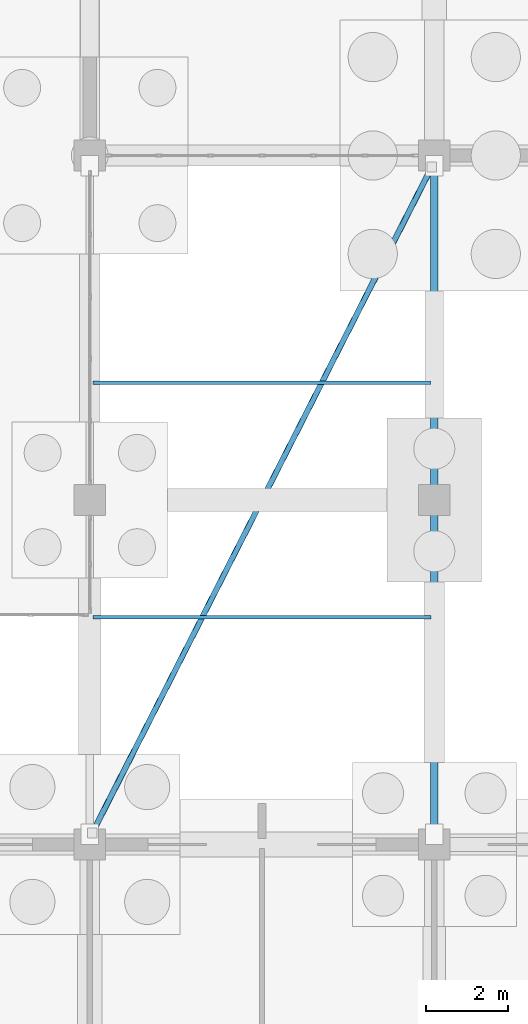
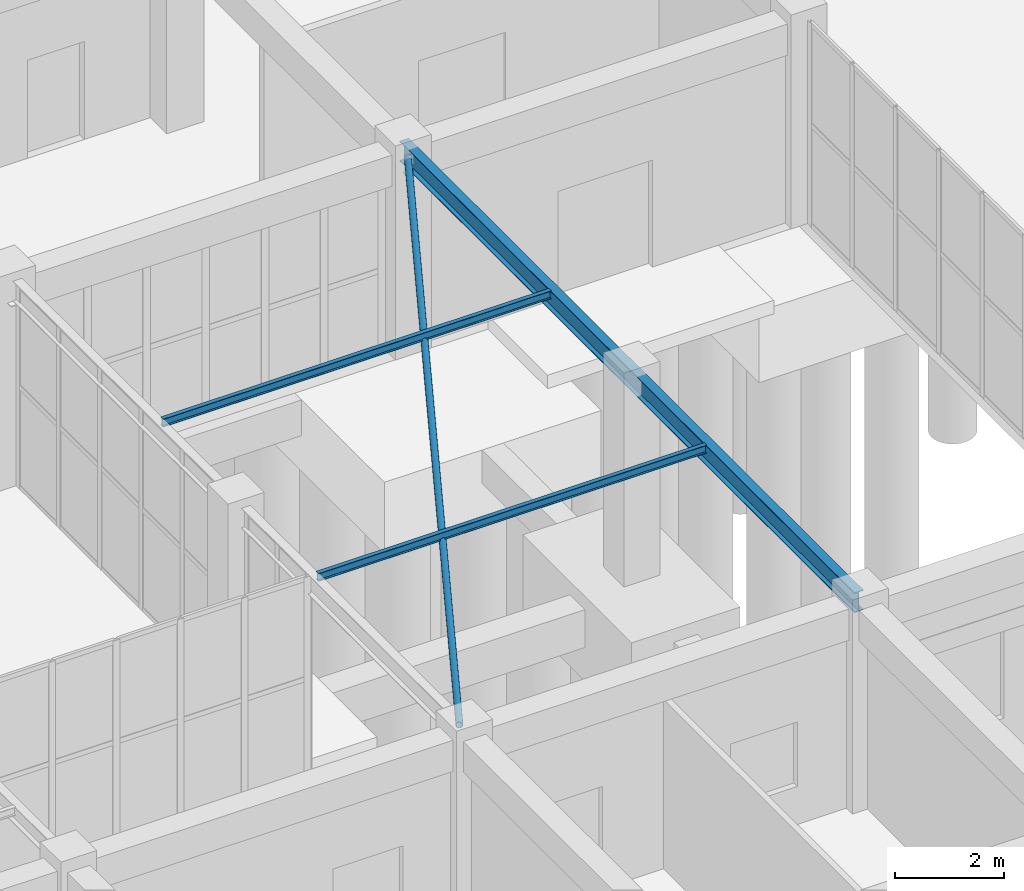
# One storey, part 64 of 192: 3 beams, 1 member.
"""IFC4 building model written with IfcOpenShell, lengths in metres."""

from ifc_helpers import new_model, si_unit, direction, frame, origin, origin_2d, place, context, subcontext, project, spatial, hollow_circle, i_section, extrude, material, material_profile, profile_set, type_object, element, save


model = new_model("IFC4")

# Units and contexts
model_context = context("Model", 3, precision=1e-05, world=origin(), true_north=direction((0.0, 1.0)))
body_context = subcontext(model_context, "Body", "Model", "MODEL_VIEW")
ifc_project = project(units=[si_unit("LENGTHUNIT", "METRE"), si_unit("AREAUNIT", "SQUARE_METRE"), si_unit("VOLUMEUNIT", "CUBIC_METRE"), si_unit("PLANEANGLEUNIT", "RADIAN"), si_unit("MASSUNIT", "GRAM", prefix="KILO")], contexts=[model_context])

# Site, building, storey
site_placement = place(None, origin())
site = spatial("IfcSite", under=ifc_project, at=site_placement, CompositionType="ELEMENT")
building_placement = place(site_placement, origin())
building = spatial("IfcBuilding", under=site, at=building_placement, Name="Trelvath General Hospital", CompositionType="ELEMENT")
storey_placement = place(building_placement, origin())
storey = spatial("IfcBuildingStorey", under=building, at=storey_placement, Name="L00", CompositionType="ELEMENT", Elevation=0.0)

# Member
ifc_material_1 = material(Name="Steel S355", Category="steel")
ifc_material_profile_1 = material_profile(ifc_material_1, hollow_circle(Radius=0.06982421875, WallThickness=0.00634765625, at=origin_2d()), Name="CHS139.7x6.3")
ifc_profile_set_1 = profile_set([ifc_material_profile_1], Name="Steel S355")
member_type = type_object("IfcMemberType", Name="BridgeBrace CHS139", PredefinedType="BRACE", material=ifc_profile_set_1)
member_placement = place(storey_placement, frame((75.659912109375, 25.47998046875, 4.385009765625), z_axis=(0.454223089501, 0.890887975542, 0.0), x_axis=(-0.890887975542, 0.454223089501, 0.0)))
element("IfcMember", 1, at=member_placement, inside=storey, type_object=member_type, Name="Bridge Lateral Brace BRG-S-C L01", PredefinedType="BRACE", context=body_context, shape_type="SweptSolid", body=[
    extrude(hollow_circle(Radius=0.06982421875, WallThickness=0.00634765625, at=origin_2d()), origin(), (0.0, 0.0, 1.0), 18.22900390625),
])

# Beams
ifc_material_2 = material(Name="Steel S355", Category="steel")
ifc_material_profile_2 = material_profile(ifc_material_2, i_section(OverallWidth=0.18994140625, OverallDepth=0.449951171875, WebThickness=0.009521484375, FlangeThickness=0.0146484375, at=origin_2d()), Name="IPE450")
ifc_profile_set_2 = profile_set([ifc_material_profile_2], Name="Steel S355")
beam_type_1 = type_object("IfcBeamType", Name="BridgeGirder IPE450", PredefinedType="BEAM", material=ifc_profile_set_2)
beam_placement = place(storey_placement, frame((84.0, 25.239990234375, 4.385009765625), z_axis=(0.0, 1.0, 0.0), x_axis=(-1.0, 0.0, 0.0)))
element("IfcBeam", 2, at=beam_placement, inside=storey, type_object=beam_type_1, Name="Bridge Girder BRG-S-C E L01", PredefinedType="BEAM", context=body_context, shape_type="SweptSolid", body=[
    extrude(i_section(OverallWidth=0.18994140625, OverallDepth=0.449951171875, WebThickness=0.009521484375, FlangeThickness=0.0146484375, at=origin_2d()), origin(), (0.0, 0.0, 1.0), 16.719970703125),
])
ifc_material_3 = material(Name="Steel S355", Category="steel")
ifc_material_profile_3 = material_profile(ifc_material_3, i_section(OverallWidth=0.091064453125, OverallDepth=0.179931640625, WebThickness=0.00537109375, FlangeThickness=0.008056640625, at=origin_2d()), Name="IPE180")
ifc_profile_set_3 = profile_set([ifc_material_profile_3], Name="Steel S355")
beam_type_2 = type_object("IfcBeamType", Name="BridgeJoist IPE180", PredefinedType="JOIST", material=ifc_profile_set_3)
for number, where, z_axis, x_axis, name in (
    (3, (75.679931640625, 30.743896484375, 4.52001953125), (1.0, 0.0, 0.0), (0.0, 1.0, 0.0), "Bridge Cross Joist BRG-S-C L01"),
    (4, (75.679931640625, 36.4560546875, 4.52001953125), (1.0, 0.0, 0.0), (0.0, 1.0, 0.0), "Bridge Cross Joist BRG-S-C L01"),
):
    element("IfcBeam", number, at=place(storey_placement, frame(where, z_axis=z_axis, x_axis=x_axis)), inside=storey, type_object=beam_type_2, Name=name, PredefinedType="JOIST", context=body_context, shape_type="SweptSolid", body=[
        extrude(i_section(OverallWidth=0.091064453125, OverallDepth=0.179931640625, WebThickness=0.00537109375, FlangeThickness=0.008056640625, at=origin_2d()), origin(), (0.0, 0.0, 1.0), 8.239990234375),
    ])

save(model, "model.ifc")
